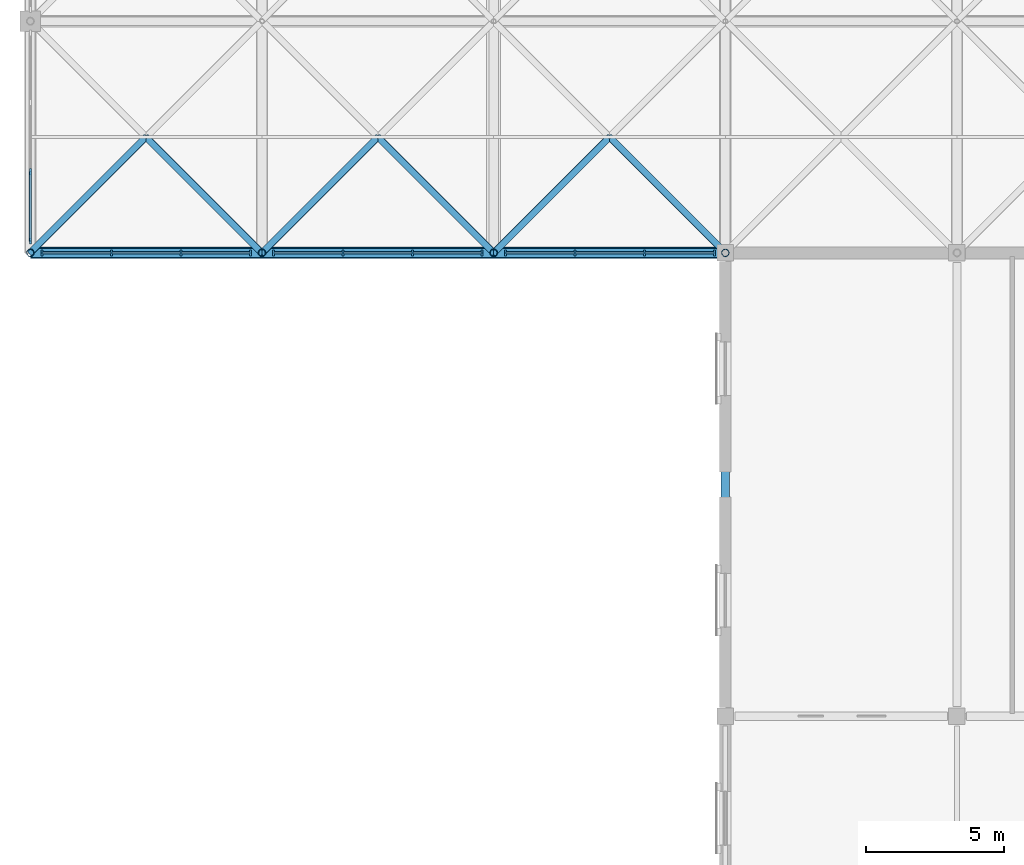
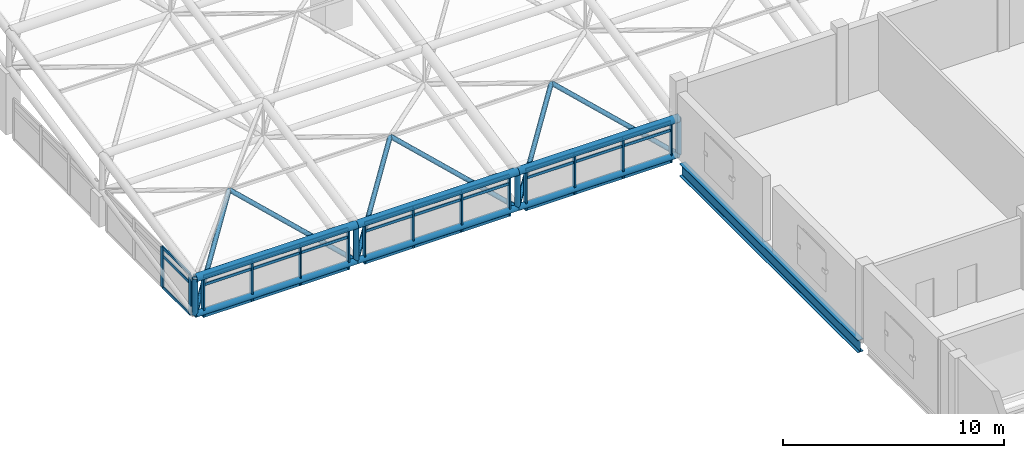
# One storey, part 3 of 81: 60 members, 1 beam, 4 elements without a shape of their own.
"""IFC4 building model written with IfcOpenShell, lengths in metres."""

from ifc_helpers import new_model, si_unit, direction, frame, origin, origin_2d, place, context, subcontext, project, spatial, rectangle, hollow_circle, i_section, extrude, material, layer, layer_set, material_profile, profile_set, type_object, element, aggregate, save


model = new_model("IFC4")

# Units and contexts
model_context = context("Model", 3, precision=1e-05, world=origin(), true_north=direction((0.0, 1.0)))
body_context = subcontext(model_context, "Body", "Model", "MODEL_VIEW")
ifc_project = project(units=[si_unit("LENGTHUNIT", "METRE"), si_unit("AREAUNIT", "SQUARE_METRE"), si_unit("VOLUMEUNIT", "CUBIC_METRE"), si_unit("PLANEANGLEUNIT", "RADIAN"), si_unit("MASSUNIT", "GRAM", prefix="KILO")], contexts=[model_context])

# Site, building, storey
site_placement = place(None, origin())
site = spatial("IfcSite", under=ifc_project, at=site_placement, CompositionType="ELEMENT")
building_placement = place(site_placement, origin())
building = spatial("IfcBuilding", under=site, at=building_placement, Name="Qawsi Khor Wholesale Market", CompositionType="ELEMENT")
storey_placement = place(building_placement, frame((0.0, 0.0, 16.199951171875)))
storey = spatial("IfcBuildingStorey", under=building, at=storey_placement, Name="L03", CompositionType="ELEMENT", Elevation=16.199951171875)

# Curtain wall, members
ifc_material_1 = material(Name="Aluminium Anodised Bronze", Category="aluminium")
ifc_layer = layer(ifc_material_1, 0.199951171875, Name="Aluminium Anodised Bronze")
ifc_layer_set = layer_set([ifc_layer], Name="Aluminium Anodised Bronze")
curtain_wall_type = type_object("IfcCurtainWallType", Name="Trading Hall North-Light Curtain Wall CW-03", PredefinedType="NOTDEFINED", material=ifc_layer_set)
curtain_wall_1_placement = place(storey_placement, origin())
curtain_wall_1 = element("IfcCurtainWall", 1, at=curtain_wall_1_placement, inside=storey, type_object=curtain_wall_type, Name="Curtain wall CW-CW-03-L03-117", PredefinedType="NOTDEFINED")
ifc_material_profile_1 = material_profile(ifc_material_1, rectangle(XDim=0.074951171875, YDim=0.219970703125, at=origin_2d()), Name="ALU MULLION 75x220")
ifc_profile_set_1 = profile_set([ifc_material_profile_1], Name="Aluminium Anodised Bronze")
member_type_1 = type_object("IfcMemberType", Name="Curtain Wall Mullion CW-03 ALU MULLION 75x220", PredefinedType="MULLION", material=ifc_profile_set_1)
member_1_placement = place(storey_placement, frame((0.422607421875, 42.0, -0.300048828125), z_axis=(0.0, 0.0, 1.0), x_axis=(1.0, 0.0, 0.0)))
member_1 = element("IfcMember", 2, at=member_1_placement, type_object=member_type_1, Name="Mullion CW-CW-03-L03-117-M00", PredefinedType="MULLION", context=body_context, shape_type="SweptSolid", body=[
    extrude(rectangle(XDim=0.074951171875, YDim=0.219970703125, at=origin_2d()), origin(), (0.0, 0.0, 1.0), 2.2001953125),
])
member_2_placement = place(storey_placement, frame((2.94091796875, 42.0, -0.300048828125), z_axis=(0.0, 0.0, 1.0), x_axis=(1.0, 0.0, 0.0)))
member_2 = element("IfcMember", 3, at=member_2_placement, type_object=member_type_1, Name="Mullion CW-CW-03-L03-117-M01", PredefinedType="MULLION", context=body_context, shape_type="SweptSolid", body=[
    extrude(rectangle(XDim=0.074951171875, YDim=0.219970703125, at=origin_2d()), origin(), (0.0, 0.0, 1.0), 2.2001953125),
])
member_3_placement = place(storey_placement, frame((5.459228515625, 42.0, -0.300048828125), z_axis=(0.0, 0.0, 1.0), x_axis=(1.0, 0.0, 0.0)))
member_3 = element("IfcMember", 4, at=member_3_placement, type_object=member_type_1, Name="Mullion CW-CW-03-L03-117-M02", PredefinedType="MULLION", context=body_context, shape_type="SweptSolid", body=[
    extrude(rectangle(XDim=0.074951171875, YDim=0.219970703125, at=origin_2d()), origin(), (0.0, 0.0, 1.0), 2.2001953125),
])
member_4_placement = place(storey_placement, frame((7.9775390625, 42.0, -0.300048828125), z_axis=(0.0, 0.0, 1.0), x_axis=(1.0, 0.0, 0.0)))
member_4 = element("IfcMember", 5, at=member_4_placement, type_object=member_type_1, Name="Mullion CW-CW-03-L03-117-M03", PredefinedType="MULLION", context=body_context, shape_type="SweptSolid", body=[
    extrude(rectangle(XDim=0.074951171875, YDim=0.219970703125, at=origin_2d()), origin(), (0.0, 0.0, 1.0), 2.2001953125),
])

curtain_wall_2_placement = place(storey_placement, origin())
curtain_wall_2 = element("IfcCurtainWall", 6, at=curtain_wall_2_placement, inside=storey, type_object=curtain_wall_type, Name="Curtain wall CW-CW-03-L03-118", PredefinedType="NOTDEFINED")
member_5_placement = place(storey_placement, frame((8.822509765625, 42.0, -0.300048828125), z_axis=(0.0, 0.0, 1.0), x_axis=(1.0, 0.0, 0.0)))
member_5 = element("IfcMember", 7, at=member_5_placement, type_object=member_type_1, Name="Mullion CW-CW-03-L03-118-M00", PredefinedType="MULLION", context=body_context, shape_type="SweptSolid", body=[
    extrude(rectangle(XDim=0.074951171875, YDim=0.219970703125, at=origin_2d()), origin(), (0.0, 0.0, 1.0), 2.2001953125),
])
member_6_placement = place(storey_placement, frame((11.3408203125, 42.0, -0.300048828125), z_axis=(0.0, 0.0, 1.0), x_axis=(1.0, 0.0, 0.0)))
member_6 = element("IfcMember", 8, at=member_6_placement, type_object=member_type_1, Name="Mullion CW-CW-03-L03-118-M01", PredefinedType="MULLION", context=body_context, shape_type="SweptSolid", body=[
    extrude(rectangle(XDim=0.074951171875, YDim=0.219970703125, at=origin_2d()), origin(), (0.0, 0.0, 1.0), 2.2001953125),
])
member_7_placement = place(storey_placement, frame((13.859130859375, 42.0, -0.300048828125), z_axis=(0.0, 0.0, 1.0), x_axis=(1.0, 0.0, 0.0)))
member_7 = element("IfcMember", 9, at=member_7_placement, type_object=member_type_1, Name="Mullion CW-CW-03-L03-118-M02", PredefinedType="MULLION", context=body_context, shape_type="SweptSolid", body=[
    extrude(rectangle(XDim=0.074951171875, YDim=0.219970703125, at=origin_2d()), origin(), (0.0, 0.0, 1.0), 2.2001953125),
])
member_8_placement = place(storey_placement, frame((16.37744140625, 42.0, -0.300048828125), z_axis=(0.0, 0.0, 1.0), x_axis=(1.0, 0.0, 0.0)))
member_8 = element("IfcMember", 10, at=member_8_placement, type_object=member_type_1, Name="Mullion CW-CW-03-L03-118-M03", PredefinedType="MULLION", context=body_context, shape_type="SweptSolid", body=[
    extrude(rectangle(XDim=0.074951171875, YDim=0.219970703125, at=origin_2d()), origin(), (0.0, 0.0, 1.0), 2.2001953125),
])

curtain_wall_3_placement = place(storey_placement, origin())
curtain_wall_3 = element("IfcCurtainWall", 11, at=curtain_wall_3_placement, inside=storey, type_object=curtain_wall_type, Name="Curtain wall CW-CW-03-L03-119", PredefinedType="NOTDEFINED")
member_9_placement = place(storey_placement, frame((17.222412109375, 42.0, -0.300048828125), z_axis=(0.0, 0.0, 1.0), x_axis=(1.0, 0.0, 0.0)))
member_9 = element("IfcMember", 12, at=member_9_placement, type_object=member_type_1, Name="Mullion CW-CW-03-L03-119-M00", PredefinedType="MULLION", context=body_context, shape_type="SweptSolid", body=[
    extrude(rectangle(XDim=0.074951171875, YDim=0.219970703125, at=origin_2d()), origin(), (0.0, 0.0, 1.0), 2.2001953125),
])
member_10_placement = place(storey_placement, frame((19.749267578125, 42.0, -0.300048828125), z_axis=(0.0, 0.0, 1.0), x_axis=(1.0, 0.0, 0.0)))
member_10 = element("IfcMember", 13, at=member_10_placement, type_object=member_type_1, Name="Mullion CW-CW-03-L03-119-M01", PredefinedType="MULLION", context=body_context, shape_type="SweptSolid", body=[
    extrude(rectangle(XDim=0.074951171875, YDim=0.219970703125, at=origin_2d()), origin(), (0.0, 0.0, 1.0), 2.2001953125),
])
member_11_placement = place(storey_placement, frame((22.27587890625, 42.0, -0.300048828125), z_axis=(0.0, 0.0, 1.0), x_axis=(1.0, 0.0, 0.0)))
member_11 = element("IfcMember", 14, at=member_11_placement, type_object=member_type_1, Name="Mullion CW-CW-03-L03-119-M02", PredefinedType="MULLION", context=body_context, shape_type="SweptSolid", body=[
    extrude(rectangle(XDim=0.074951171875, YDim=0.219970703125, at=origin_2d()), origin(), (0.0, 0.0, 1.0), 2.2001953125),
])
member_12_placement = place(storey_placement, frame((24.802490234375, 42.0, -0.300048828125), z_axis=(0.0, 0.0, 1.0), x_axis=(1.0, 0.0, 0.0)))
member_12 = element("IfcMember", 15, at=member_12_placement, type_object=member_type_1, Name="Mullion CW-CW-03-L03-119-M03", PredefinedType="MULLION", context=body_context, shape_type="SweptSolid", body=[
    extrude(rectangle(XDim=0.074951171875, YDim=0.219970703125, at=origin_2d()), origin(), (0.0, 0.0, 1.0), 2.2001953125),
])

curtain_wall_4_placement = place(storey_placement, origin())
curtain_wall_4 = element("IfcCurtainWall", 16, at=curtain_wall_4_placement, inside=storey, type_object=curtain_wall_type, Name="Curtain wall CW-CW-03-L03-129", PredefinedType="NOTDEFINED")
member_13_placement = place(storey_placement, frame((0.0, 42.422607421875, -0.300048828125), z_axis=(0.0, 0.0, 1.0), x_axis=(1.0, 0.0, 0.0)))
member_13 = element("IfcMember", 17, at=member_13_placement, type_object=member_type_1, Name="Mullion CW-CW-03-L03-129-M00", PredefinedType="MULLION", context=body_context, shape_type="SweptSolid", body=[
    extrude(rectangle(XDim=0.074951171875, YDim=0.219970703125, at=origin_2d()), origin(), (0.0, 0.0, 1.0), 2.2001953125),
])
member_14_placement = place(storey_placement, frame((0.0, 44.94091796875, -0.300048828125), z_axis=(0.0, 0.0, 1.0), x_axis=(1.0, 0.0, 0.0)))
member_14 = element("IfcMember", 18, at=member_14_placement, type_object=member_type_1, Name="Mullion CW-CW-03-L03-129-M01", PredefinedType="MULLION", context=body_context, shape_type="SweptSolid", body=[
    extrude(rectangle(XDim=0.074951171875, YDim=0.219970703125, at=origin_2d()), origin(), (0.0, 0.0, 1.0), 2.2001953125),
])

# Member
ifc_material_profile_2 = material_profile(ifc_material_1, rectangle(XDim=0.070068359375, YDim=0.14990234375, at=origin_2d()), Name="ALU TRANSOM 70x150")
ifc_profile_set_2 = profile_set([ifc_material_profile_2], Name="Aluminium Anodised Bronze")
member_type_2 = type_object("IfcMemberType", Name="Curtain Wall Transom CW-03 ALU TRANSOM 70x150", PredefinedType="USERDEFINED", material=ifc_profile_set_2)
member_15_placement = place(storey_placement, frame((0.422607421875, 42.0, -0.280029296875), z_axis=(1.0, 0.0, 0.0), x_axis=(0.0, 1.0, 0.0)))
member_15 = element("IfcMember", 19, at=member_15_placement, type_object=member_type_2, Name="Transom CW-CW-03-L03-117-T0_00", ObjectType="TRANSOM", PredefinedType="USERDEFINED", context=body_context, shape_type="SweptSolid", body=[
    extrude(rectangle(XDim=0.070068359375, YDim=0.14990234375, at=origin_2d()), origin(), (0.0, 0.0, 1.0), 2.518310546875),
])

member_16_placement = place(storey_placement, frame((2.94091796875, 42.0, -0.280029296875), z_axis=(1.0, 0.0, 0.0), x_axis=(0.0, 1.0, 0.0)))
member_16 = element("IfcMember", 20, at=member_16_placement, type_object=member_type_2, Name="Transom CW-CW-03-L03-117-T0_01", ObjectType="TRANSOM", PredefinedType="USERDEFINED", context=body_context, shape_type="SweptSolid", body=[
    extrude(rectangle(XDim=0.070068359375, YDim=0.14990234375, at=origin_2d()), origin(), (0.0, 0.0, 1.0), 2.518310546875),
])

member_17_placement = place(storey_placement, frame((5.459228515625, 42.0, -0.280029296875), z_axis=(1.0, 0.0, 0.0), x_axis=(0.0, 1.0, 0.0)))
member_17 = element("IfcMember", 21, at=member_17_placement, type_object=member_type_2, Name="Transom CW-CW-03-L03-117-T0_02", ObjectType="TRANSOM", PredefinedType="USERDEFINED", context=body_context, shape_type="SweptSolid", body=[
    extrude(rectangle(XDim=0.070068359375, YDim=0.14990234375, at=origin_2d()), origin(), (0.0, 0.0, 1.0), 2.518310546875),
])

member_18_placement = place(storey_placement, frame((0.422607421875, 42.0, 1.449951171875), z_axis=(1.0, 0.0, 0.0), x_axis=(0.0, 1.0, 0.0)))
member_18 = element("IfcMember", 22, at=member_18_placement, type_object=member_type_2, Name="Transom CW-CW-03-L03-117-T1_00", ObjectType="TRANSOM", PredefinedType="USERDEFINED", context=body_context, shape_type="SweptSolid", body=[
    extrude(rectangle(XDim=0.070068359375, YDim=0.14990234375, at=origin_2d()), origin(), (0.0, 0.0, 1.0), 2.518310546875),
])

member_19_placement = place(storey_placement, frame((2.94091796875, 42.0, 1.449951171875), z_axis=(1.0, 0.0, 0.0), x_axis=(0.0, 1.0, 0.0)))
member_19 = element("IfcMember", 23, at=member_19_placement, type_object=member_type_2, Name="Transom CW-CW-03-L03-117-T1_01", ObjectType="TRANSOM", PredefinedType="USERDEFINED", context=body_context, shape_type="SweptSolid", body=[
    extrude(rectangle(XDim=0.070068359375, YDim=0.14990234375, at=origin_2d()), origin(), (0.0, 0.0, 1.0), 2.518310546875),
])

member_20_placement = place(storey_placement, frame((5.459228515625, 42.0, 1.449951171875), z_axis=(1.0, 0.0, 0.0), x_axis=(0.0, 1.0, 0.0)))
member_20 = element("IfcMember", 24, at=member_20_placement, type_object=member_type_2, Name="Transom CW-CW-03-L03-117-T1_02", ObjectType="TRANSOM", PredefinedType="USERDEFINED", context=body_context, shape_type="SweptSolid", body=[
    extrude(rectangle(XDim=0.070068359375, YDim=0.14990234375, at=origin_2d()), origin(), (0.0, 0.0, 1.0), 2.518310546875),
])

member_21_placement = place(storey_placement, frame((0.422607421875, 42.0, 1.900146484375), z_axis=(1.0, 0.0, 0.0), x_axis=(0.0, 1.0, 0.0)))
member_21 = element("IfcMember", 25, at=member_21_placement, type_object=member_type_2, Name="Transom CW-CW-03-L03-117-T2_00", ObjectType="TRANSOM", PredefinedType="USERDEFINED", context=body_context, shape_type="SweptSolid", body=[
    extrude(rectangle(XDim=0.070068359375, YDim=0.14990234375, at=origin_2d()), origin(), (0.0, 0.0, 1.0), 2.518310546875),
])

member_22_placement = place(storey_placement, frame((2.94091796875, 42.0, 1.900146484375), z_axis=(1.0, 0.0, 0.0), x_axis=(0.0, 1.0, 0.0)))
member_22 = element("IfcMember", 26, at=member_22_placement, type_object=member_type_2, Name="Transom CW-CW-03-L03-117-T2_01", ObjectType="TRANSOM", PredefinedType="USERDEFINED", context=body_context, shape_type="SweptSolid", body=[
    extrude(rectangle(XDim=0.070068359375, YDim=0.14990234375, at=origin_2d()), origin(), (0.0, 0.0, 1.0), 2.518310546875),
])

member_23_placement = place(storey_placement, frame((5.459228515625, 42.0, 1.900146484375), z_axis=(1.0, 0.0, 0.0), x_axis=(0.0, 1.0, 0.0)))
member_23 = element("IfcMember", 27, at=member_23_placement, type_object=member_type_2, Name="Transom CW-CW-03-L03-117-T2_02", ObjectType="TRANSOM", PredefinedType="USERDEFINED", context=body_context, shape_type="SweptSolid", body=[
    extrude(rectangle(XDim=0.070068359375, YDim=0.14990234375, at=origin_2d()), origin(), (0.0, 0.0, 1.0), 2.518310546875),
])

aggregate(curtain_wall_1, [member_1, member_2, member_3, member_4, member_15, member_16, member_17, member_18, member_19, member_20, member_21, member_22, member_23])

member_24_placement = place(storey_placement, frame((8.822509765625, 42.0, -0.280029296875), z_axis=(1.0, 0.0, 0.0), x_axis=(0.0, 1.0, 0.0)))
member_24 = element("IfcMember", 28, at=member_24_placement, type_object=member_type_2, Name="Transom CW-CW-03-L03-118-T0_00", ObjectType="TRANSOM", PredefinedType="USERDEFINED", context=body_context, shape_type="SweptSolid", body=[
    extrude(rectangle(XDim=0.070068359375, YDim=0.14990234375, at=origin_2d()), origin(), (0.0, 0.0, 1.0), 2.518310546875),
])

member_25_placement = place(storey_placement, frame((11.3408203125, 42.0, -0.280029296875), z_axis=(1.0, 0.0, 0.0), x_axis=(0.0, 1.0, 0.0)))
member_25 = element("IfcMember", 29, at=member_25_placement, type_object=member_type_2, Name="Transom CW-CW-03-L03-118-T0_01", ObjectType="TRANSOM", PredefinedType="USERDEFINED", context=body_context, shape_type="SweptSolid", body=[
    extrude(rectangle(XDim=0.070068359375, YDim=0.14990234375, at=origin_2d()), origin(), (0.0, 0.0, 1.0), 2.518310546875),
])

member_26_placement = place(storey_placement, frame((13.859130859375, 42.0, -0.280029296875), z_axis=(1.0, 0.0, 0.0), x_axis=(0.0, 1.0, 0.0)))
member_26 = element("IfcMember", 30, at=member_26_placement, type_object=member_type_2, Name="Transom CW-CW-03-L03-118-T0_02", ObjectType="TRANSOM", PredefinedType="USERDEFINED", context=body_context, shape_type="SweptSolid", body=[
    extrude(rectangle(XDim=0.070068359375, YDim=0.14990234375, at=origin_2d()), origin(), (0.0, 0.0, 1.0), 2.518310546875),
])

member_27_placement = place(storey_placement, frame((8.822509765625, 42.0, 1.449951171875), z_axis=(1.0, 0.0, 0.0), x_axis=(0.0, 1.0, 0.0)))
member_27 = element("IfcMember", 31, at=member_27_placement, type_object=member_type_2, Name="Transom CW-CW-03-L03-118-T1_00", ObjectType="TRANSOM", PredefinedType="USERDEFINED", context=body_context, shape_type="SweptSolid", body=[
    extrude(rectangle(XDim=0.070068359375, YDim=0.14990234375, at=origin_2d()), origin(), (0.0, 0.0, 1.0), 2.518310546875),
])

member_28_placement = place(storey_placement, frame((11.3408203125, 42.0, 1.449951171875), z_axis=(1.0, 0.0, 0.0), x_axis=(0.0, 1.0, 0.0)))
member_28 = element("IfcMember", 32, at=member_28_placement, type_object=member_type_2, Name="Transom CW-CW-03-L03-118-T1_01", ObjectType="TRANSOM", PredefinedType="USERDEFINED", context=body_context, shape_type="SweptSolid", body=[
    extrude(rectangle(XDim=0.070068359375, YDim=0.14990234375, at=origin_2d()), origin(), (0.0, 0.0, 1.0), 2.518310546875),
])

member_29_placement = place(storey_placement, frame((13.859130859375, 42.0, 1.449951171875), z_axis=(1.0, 0.0, 0.0), x_axis=(0.0, 1.0, 0.0)))
member_29 = element("IfcMember", 33, at=member_29_placement, type_object=member_type_2, Name="Transom CW-CW-03-L03-118-T1_02", ObjectType="TRANSOM", PredefinedType="USERDEFINED", context=body_context, shape_type="SweptSolid", body=[
    extrude(rectangle(XDim=0.070068359375, YDim=0.14990234375, at=origin_2d()), origin(), (0.0, 0.0, 1.0), 2.518310546875),
])

member_30_placement = place(storey_placement, frame((8.822509765625, 42.0, 1.900146484375), z_axis=(1.0, 0.0, 0.0), x_axis=(0.0, 1.0, 0.0)))
member_30 = element("IfcMember", 34, at=member_30_placement, type_object=member_type_2, Name="Transom CW-CW-03-L03-118-T2_00", ObjectType="TRANSOM", PredefinedType="USERDEFINED", context=body_context, shape_type="SweptSolid", body=[
    extrude(rectangle(XDim=0.070068359375, YDim=0.14990234375, at=origin_2d()), origin(), (0.0, 0.0, 1.0), 2.518310546875),
])

member_31_placement = place(storey_placement, frame((11.3408203125, 42.0, 1.900146484375), z_axis=(1.0, 0.0, 0.0), x_axis=(0.0, 1.0, 0.0)))
member_31 = element("IfcMember", 35, at=member_31_placement, type_object=member_type_2, Name="Transom CW-CW-03-L03-118-T2_01", ObjectType="TRANSOM", PredefinedType="USERDEFINED", context=body_context, shape_type="SweptSolid", body=[
    extrude(rectangle(XDim=0.070068359375, YDim=0.14990234375, at=origin_2d()), origin(), (0.0, 0.0, 1.0), 2.518310546875),
])

member_32_placement = place(storey_placement, frame((13.859130859375, 42.0, 1.900146484375), z_axis=(1.0, 0.0, 0.0), x_axis=(0.0, 1.0, 0.0)))
member_32 = element("IfcMember", 36, at=member_32_placement, type_object=member_type_2, Name="Transom CW-CW-03-L03-118-T2_02", ObjectType="TRANSOM", PredefinedType="USERDEFINED", context=body_context, shape_type="SweptSolid", body=[
    extrude(rectangle(XDim=0.070068359375, YDim=0.14990234375, at=origin_2d()), origin(), (0.0, 0.0, 1.0), 2.518310546875),
])

aggregate(curtain_wall_2, [member_5, member_6, member_7, member_8, member_24, member_25, member_26, member_27, member_28, member_29, member_30, member_31, member_32])

member_33_placement = place(storey_placement, frame((17.222412109375, 42.0, -0.280029296875), z_axis=(1.0, 0.0, 0.0), x_axis=(0.0, 1.0, 0.0)))
member_33 = element("IfcMember", 37, at=member_33_placement, type_object=member_type_2, Name="Transom CW-CW-03-L03-119-T0_00", ObjectType="TRANSOM", PredefinedType="USERDEFINED", context=body_context, shape_type="SweptSolid", body=[
    extrude(rectangle(XDim=0.070068359375, YDim=0.14990234375, at=origin_2d()), origin(), (0.0, 0.0, 1.0), 2.52685546875),
])

member_34_placement = place(storey_placement, frame((19.749267578125, 42.0, -0.280029296875), z_axis=(1.0, 0.0, 0.0), x_axis=(0.0, 1.0, 0.0)))
member_34 = element("IfcMember", 38, at=member_34_placement, type_object=member_type_2, Name="Transom CW-CW-03-L03-119-T0_01", ObjectType="TRANSOM", PredefinedType="USERDEFINED", context=body_context, shape_type="SweptSolid", body=[
    extrude(rectangle(XDim=0.070068359375, YDim=0.14990234375, at=origin_2d()), origin(), (0.0, 0.0, 1.0), 2.526611328125),
])

member_35_placement = place(storey_placement, frame((22.27587890625, 42.0, -0.280029296875), z_axis=(1.0, 0.0, 0.0), x_axis=(0.0, 1.0, 0.0)))
member_35 = element("IfcMember", 39, at=member_35_placement, type_object=member_type_2, Name="Transom CW-CW-03-L03-119-T0_02", ObjectType="TRANSOM", PredefinedType="USERDEFINED", context=body_context, shape_type="SweptSolid", body=[
    extrude(rectangle(XDim=0.070068359375, YDim=0.14990234375, at=origin_2d()), origin(), (0.0, 0.0, 1.0), 2.526611328125),
])

member_36_placement = place(storey_placement, frame((17.222412109375, 42.0, 1.449951171875), z_axis=(1.0, 0.0, 0.0), x_axis=(0.0, 1.0, 0.0)))
member_36 = element("IfcMember", 40, at=member_36_placement, type_object=member_type_2, Name="Transom CW-CW-03-L03-119-T1_00", ObjectType="TRANSOM", PredefinedType="USERDEFINED", context=body_context, shape_type="SweptSolid", body=[
    extrude(rectangle(XDim=0.070068359375, YDim=0.14990234375, at=origin_2d()), origin(), (0.0, 0.0, 1.0), 2.52685546875),
])

member_37_placement = place(storey_placement, frame((19.749267578125, 42.0, 1.449951171875), z_axis=(1.0, 0.0, 0.0), x_axis=(0.0, 1.0, 0.0)))
member_37 = element("IfcMember", 41, at=member_37_placement, type_object=member_type_2, Name="Transom CW-CW-03-L03-119-T1_01", ObjectType="TRANSOM", PredefinedType="USERDEFINED", context=body_context, shape_type="SweptSolid", body=[
    extrude(rectangle(XDim=0.070068359375, YDim=0.14990234375, at=origin_2d()), origin(), (0.0, 0.0, 1.0), 2.526611328125),
])

member_38_placement = place(storey_placement, frame((22.27587890625, 42.0, 1.449951171875), z_axis=(1.0, 0.0, 0.0), x_axis=(0.0, 1.0, 0.0)))
member_38 = element("IfcMember", 42, at=member_38_placement, type_object=member_type_2, Name="Transom CW-CW-03-L03-119-T1_02", ObjectType="TRANSOM", PredefinedType="USERDEFINED", context=body_context, shape_type="SweptSolid", body=[
    extrude(rectangle(XDim=0.070068359375, YDim=0.14990234375, at=origin_2d()), origin(), (0.0, 0.0, 1.0), 2.526611328125),
])

member_39_placement = place(storey_placement, frame((17.222412109375, 42.0, 1.900146484375), z_axis=(1.0, 0.0, 0.0), x_axis=(0.0, 1.0, 0.0)))
member_39 = element("IfcMember", 43, at=member_39_placement, type_object=member_type_2, Name="Transom CW-CW-03-L03-119-T2_00", ObjectType="TRANSOM", PredefinedType="USERDEFINED", context=body_context, shape_type="SweptSolid", body=[
    extrude(rectangle(XDim=0.070068359375, YDim=0.14990234375, at=origin_2d()), origin(), (0.0, 0.0, 1.0), 2.52685546875),
])

member_40_placement = place(storey_placement, frame((19.749267578125, 42.0, 1.900146484375), z_axis=(1.0, 0.0, 0.0), x_axis=(0.0, 1.0, 0.0)))
member_40 = element("IfcMember", 44, at=member_40_placement, type_object=member_type_2, Name="Transom CW-CW-03-L03-119-T2_01", ObjectType="TRANSOM", PredefinedType="USERDEFINED", context=body_context, shape_type="SweptSolid", body=[
    extrude(rectangle(XDim=0.070068359375, YDim=0.14990234375, at=origin_2d()), origin(), (0.0, 0.0, 1.0), 2.526611328125),
])

member_41_placement = place(storey_placement, frame((22.27587890625, 42.0, 1.900146484375), z_axis=(1.0, 0.0, 0.0), x_axis=(0.0, 1.0, 0.0)))
member_41 = element("IfcMember", 45, at=member_41_placement, type_object=member_type_2, Name="Transom CW-CW-03-L03-119-T2_02", ObjectType="TRANSOM", PredefinedType="USERDEFINED", context=body_context, shape_type="SweptSolid", body=[
    extrude(rectangle(XDim=0.070068359375, YDim=0.14990234375, at=origin_2d()), origin(), (0.0, 0.0, 1.0), 2.526611328125),
])

aggregate(curtain_wall_3, [member_9, member_10, member_11, member_12, member_33, member_34, member_35, member_36, member_37, member_38, member_39, member_40, member_41])

member_42_placement = place(storey_placement, frame((0.0, 42.422607421875, -0.280029296875), z_axis=(0.0, 1.0, 0.0), x_axis=(-1.0, 0.0, 0.0)))
member_42 = element("IfcMember", 46, at=member_42_placement, type_object=member_type_2, Name="Transom CW-CW-03-L03-129-T0_00", ObjectType="TRANSOM", PredefinedType="USERDEFINED", context=body_context, shape_type="SweptSolid", body=[
    extrude(rectangle(XDim=0.070068359375, YDim=0.14990234375, at=origin_2d()), origin(), (0.0, 0.0, 1.0), 2.518310546875),
])

member_43_placement = place(storey_placement, frame((0.0, 42.422607421875, 1.449951171875), z_axis=(0.0, 1.0, 0.0), x_axis=(-1.0, 0.0, 0.0)))
member_43 = element("IfcMember", 47, at=member_43_placement, type_object=member_type_2, Name="Transom CW-CW-03-L03-129-T1_00", ObjectType="TRANSOM", PredefinedType="USERDEFINED", context=body_context, shape_type="SweptSolid", body=[
    extrude(rectangle(XDim=0.070068359375, YDim=0.14990234375, at=origin_2d()), origin(), (0.0, 0.0, 1.0), 2.518310546875),
])

member_44_placement = place(storey_placement, frame((0.0, 42.422607421875, 1.900146484375), z_axis=(0.0, 1.0, 0.0), x_axis=(-1.0, 0.0, 0.0)))
member_44 = element("IfcMember", 48, at=member_44_placement, type_object=member_type_2, Name="Transom CW-CW-03-L03-129-T2_00", ObjectType="TRANSOM", PredefinedType="USERDEFINED", context=body_context, shape_type="SweptSolid", body=[
    extrude(rectangle(XDim=0.070068359375, YDim=0.14990234375, at=origin_2d()), origin(), (0.0, 0.0, 1.0), 2.518310546875),
])

aggregate(curtain_wall_4, [member_13, member_14, member_42, member_43, member_44])

# Beam
ifc_material_2 = material(Name="Steel S355", Category="steel")
ifc_material_profile_3 = material_profile(ifc_material_2, i_section(OverallWidth=0.300048828125, OverallDepth=0.68994140625, WebThickness=0.014404296875, FlangeThickness=0.027099609375, FilletRadius=0.027099609375, at=origin_2d()), Name="HEA 700")
ifc_profile_set_3 = profile_set([ifc_material_profile_3], Name="Steel S355")
beam_type = type_object("IfcBeamType", Name="Primary Girder HEA 700", PredefinedType="BEAM", material=ifc_profile_set_3)
beam_placement = place(storey_placement, frame((25.199951171875, 25.550048828125, -0.625), z_axis=(0.0, 1.0, 0.0), x_axis=(-1.0, 0.0, 0.0)))
element("IfcBeam", 49, at=beam_placement, inside=storey, type_object=beam_type, Name="BM-YL-L03-03_+03", PredefinedType="BEAM", context=body_context, shape_type="SweptSolid", body=[
    extrude(i_section(OverallWidth=0.300048828125, OverallDepth=0.68994140625, WebThickness=0.014404296875, FlangeThickness=0.027099609375, FilletRadius=0.027099609375, at=origin_2d()), origin(), (0.0, 0.0, 1.0), 16.099853515625),
])

# Members
ifc_material_profile_4 = material_profile(ifc_material_2, hollow_circle(Radius=0.136474609375, WallThickness=0.012451171875, at=origin_2d()), Name="CHS 273.0x12.5")
ifc_profile_set_4 = profile_set([ifc_material_profile_4], Name="Steel S355")
member_type_3 = type_object("IfcMemberType", Name="Space-Frame Edge Post CHS 273.0x12.5", PredefinedType="POST", material=ifc_profile_set_4)
for number, where, z_axis, x_axis, name in (
    (50, (0.0, 42.0, -0.030029296875), (0.0, 0.0, 1.0), (1.0, 0.0, 0.0), "Space frame post WH (0,5)"),
    (51, (8.39990234375, 42.0, -0.030029296875), (0.0, 0.0, 1.0), (1.0, 0.0, 0.0), "Space frame post WH (1,5)"),
    (52, (16.800048828125, 42.0, -0.030029296875), (0.0, 0.0, 1.0), (1.0, 0.0, 0.0), "Space frame post WH (2,5)"),
    (53, (25.199951171875, 42.0, -0.030029296875), (0.0, 0.0, 1.0), (1.0, 0.0, 0.0), "Space frame post WH (3,5)"),
):
    element("IfcMember", number, at=place(storey_placement, frame(where, z_axis=z_axis, x_axis=x_axis)), inside=storey, type_object=member_type_3, Name=name, PredefinedType="POST", context=body_context, shape_type="SweptSolid", body=[
        extrude(hollow_circle(Radius=0.136474609375, WallThickness=0.012451171875, at=origin_2d()), origin(), (0.0, 0.0, 1.0), 2.0),
    ])
ifc_material_profile_5 = material_profile(ifc_material_2, hollow_circle(Radius=0.122314453125, WallThickness=0.012451171875, at=origin_2d()), Name="CHS 244.5x12.5")
ifc_profile_set_5 = profile_set([ifc_material_profile_5], Name="Steel S355")
member_type_4 = type_object("IfcMemberType", Name="Space-Frame Heavy Diagonal CHS 244.5x12.5", PredefinedType="POST", material=ifc_profile_set_5)
for number, where, z_axis, x_axis, name in (
    (54, (0.0, 42.0, -0.030029296875), (0.637511741089, 0.637511741089, 0.432617105474), (-0.707106781187, 0.707106781187, 0.0), "Space frame diagonal WH (0,5)-1"),
    (55, (8.39990234375, 42.0, -0.030029296875), (-0.637511741089, 0.637511741089, 0.432617105474), (-0.707106781187, -0.707106781187, 0.0), "Space frame diagonal WH (0,5)-2"),
    (56, (8.39990234375, 42.0, -0.030029296875), (0.637533737254, 0.637496679957, 0.432606884951), (-0.70708622964, 0.707127332136, 0.0), "Space frame diagonal WH (1,5)-1"),
    (57, (16.800048828125, 42.0, -0.030029296875), (-0.637511741089, 0.637511741089, 0.432617105474), (-0.707106781187, -0.707106781187, 0.0), "Space frame diagonal WH (1,5)-2"),
    (58, (16.800048828125, 42.0, -0.030029296875), (0.637511741089, 0.637511741089, 0.432617105474), (-0.707106781187, 0.707106781187, 0.0), "Space frame diagonal WH (2,5)-1"),
    (59, (25.199951171875, 42.0, -0.030029296875), (-0.637511741089, 0.637511741089, 0.432617105474), (-0.707106781187, -0.707106781187, 0.0), "Space frame diagonal WH (2,5)-2"),
):
    element("IfcMember", number, at=place(storey_placement, frame(where, z_axis=z_axis, x_axis=x_axis)), inside=storey, type_object=member_type_4, Name=name, PredefinedType="POST", context=body_context, shape_type="SweptSolid", body=[
        extrude(hollow_circle(Radius=0.122314453125, WallThickness=0.012451171875, at=origin_2d()), origin(), (0.0, 0.0, 1.0), 6.588134765625),
    ])
ifc_material_profile_6 = material_profile(ifc_material_2, hollow_circle(Radius=0.161865234375, WallThickness=0.01611328125, at=origin_2d()), Name="CHS 323.9x16.0")
ifc_profile_set_6 = profile_set([ifc_material_profile_6], Name="Steel S355")
member_type_5 = type_object("IfcMemberType", Name="Space-Frame Secondary Chord CHS 323.9x16.0", PredefinedType="CHORD", material=ifc_profile_set_6)
member_45_placement = place(storey_placement, frame((0.0, 42.0, -0.030029296875), z_axis=(1.0, 0.0, 0.0), x_axis=(0.0, 1.0, 0.0)))
element("IfcMember", 60, at=member_45_placement, inside=storey, type_object=member_type_5, Name="Space frame bottom chord X WH (0,5)", PredefinedType="CHORD", context=body_context, shape_type="SweptSolid", body=[
    extrude(hollow_circle(Radius=0.161865234375, WallThickness=0.01611328125, at=origin_2d()), origin(), (0.0, 0.0, 1.0), 8.39990234375),
])
member_46_placement = place(storey_placement, frame((8.39990234375, 42.0, -0.030029296875), z_axis=(1.0, 0.0, 0.0), x_axis=(0.0, 1.0, 0.0)))
element("IfcMember", 61, at=member_46_placement, inside=storey, type_object=member_type_5, Name="Space frame bottom chord X WH (1,5)", PredefinedType="CHORD", context=body_context, shape_type="SweptSolid", body=[
    extrude(hollow_circle(Radius=0.161865234375, WallThickness=0.01611328125, at=origin_2d()), origin(), (0.0, 0.0, 1.0), 8.400146484375),
])
member_47_placement = place(storey_placement, frame((16.800048828125, 42.0, -0.030029296875), z_axis=(1.0, 0.0, 0.0), x_axis=(0.0, 1.0, 0.0)))
element("IfcMember", 62, at=member_47_placement, inside=storey, type_object=member_type_5, Name="Space frame bottom chord X WH (2,5)", PredefinedType="CHORD", context=body_context, shape_type="SweptSolid", body=[
    extrude(hollow_circle(Radius=0.161865234375, WallThickness=0.01611328125, at=origin_2d()), origin(), (0.0, 0.0, 1.0), 8.39990234375),
])
ifc_material_profile_7 = material_profile(ifc_material_2, hollow_circle(Radius=0.203125, WallThickness=0.02001953125, at=origin_2d()), Name="CHS 406.4x20.0")
ifc_profile_set_7 = profile_set([ifc_material_profile_7], Name="Steel S355")
member_type_6 = type_object("IfcMemberType", Name="Space-Frame Top Chord CHS 406.4x20.0", PredefinedType="CHORD", material=ifc_profile_set_7)
member_48_placement = place(storey_placement, frame((0.0, 42.0, 1.969970703125), z_axis=(1.0, 0.0, 0.0), x_axis=(0.0, 1.0, 0.0)))
element("IfcMember", 63, at=member_48_placement, inside=storey, type_object=member_type_6, Name="Space frame top chord X WH (0,5)", PredefinedType="CHORD", context=body_context, shape_type="SweptSolid", body=[
    extrude(hollow_circle(Radius=0.203125, WallThickness=0.02001953125, at=origin_2d()), origin(), (0.0, 0.0, 1.0), 8.39990234375),
])
member_49_placement = place(storey_placement, frame((8.39990234375, 42.0, 1.969970703125), z_axis=(1.0, 0.0, 0.0), x_axis=(0.0, 1.0, 0.0)))
element("IfcMember", 64, at=member_49_placement, inside=storey, type_object=member_type_6, Name="Space frame top chord X WH (1,5)", PredefinedType="CHORD", context=body_context, shape_type="SweptSolid", body=[
    extrude(hollow_circle(Radius=0.203125, WallThickness=0.02001953125, at=origin_2d()), origin(), (0.0, 0.0, 1.0), 8.400146484375),
])
member_50_placement = place(storey_placement, frame((16.800048828125, 42.0, 1.969970703125), z_axis=(1.0, 0.0, 0.0), x_axis=(0.0, 1.0, 0.0)))
element("IfcMember", 65, at=member_50_placement, inside=storey, type_object=member_type_6, Name="Space frame top chord X WH (2,5)", PredefinedType="CHORD", context=body_context, shape_type="SweptSolid", body=[
    extrude(hollow_circle(Radius=0.203125, WallThickness=0.02001953125, at=origin_2d()), origin(), (0.0, 0.0, 1.0), 8.39990234375),
])

save(model, "model.ifc")
